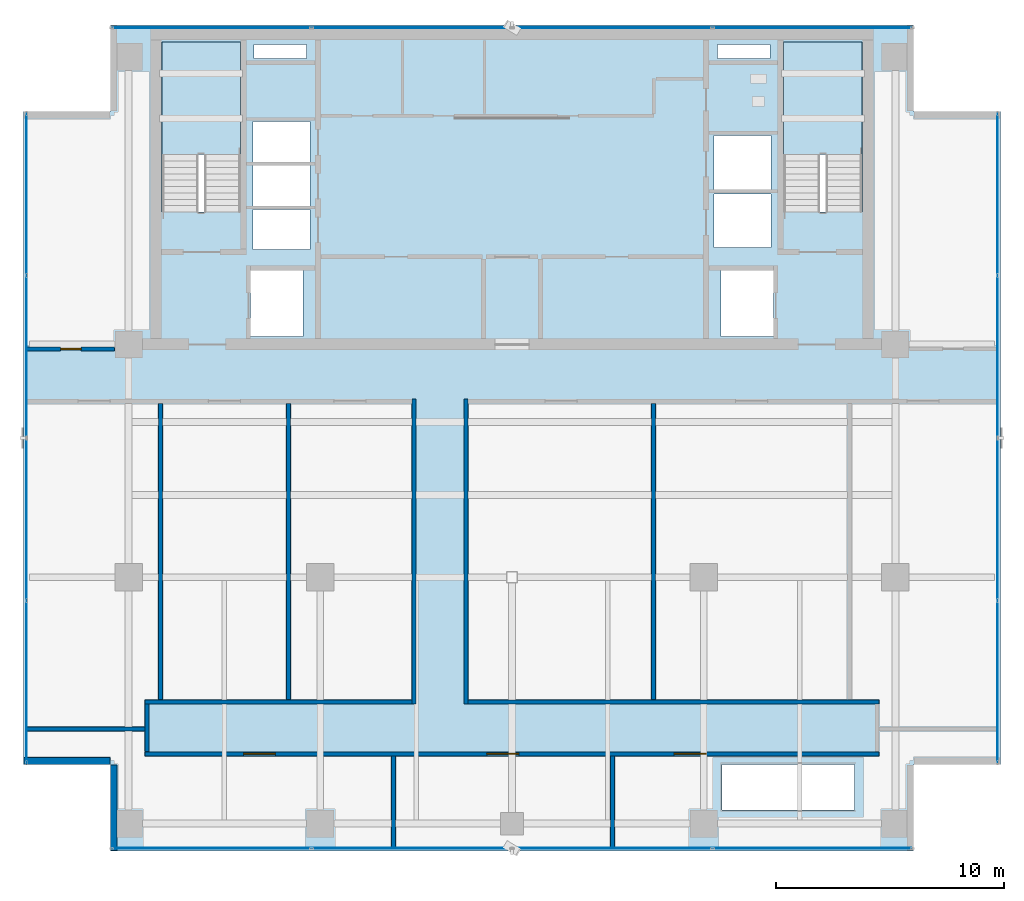
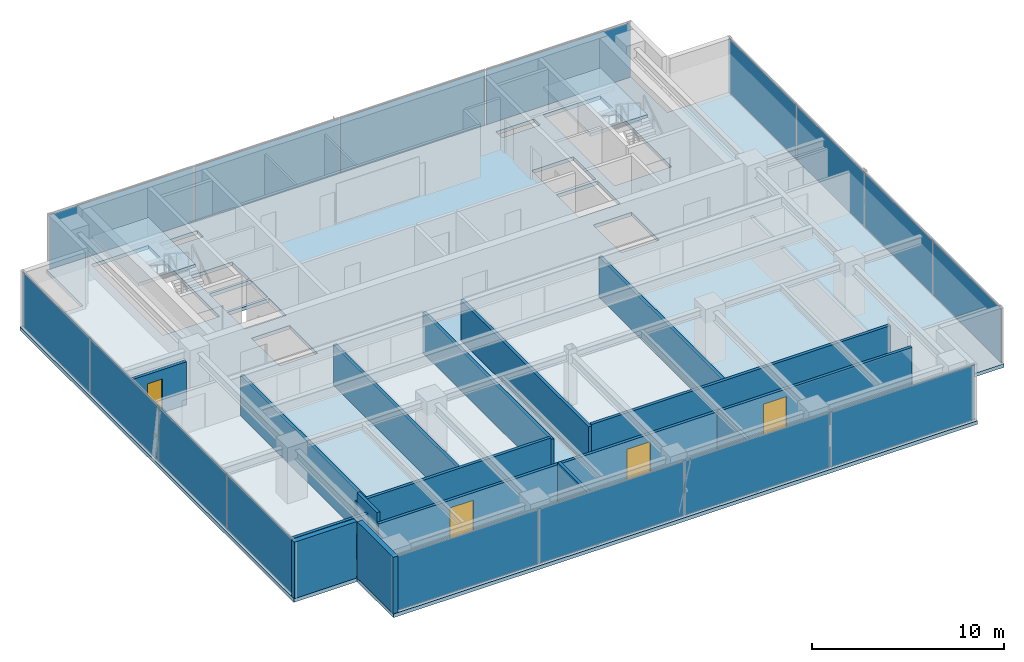
# One storey, part 14 of 21: 16 plates, 15 walls, 4 doors, 3 slabs, 4 openings, 6 elements without a shape of their own.
"""IFC4 building model written with IfcOpenShell, lengths in metres."""

from ifc_helpers import new_model, si_unit, direction, frame, frame_2d, origin, origin_2d, place, context, subcontext, project, spatial, polyline, rectangle, outline, extrude, source, transform, mapped, material, layer, layer_set, type_object, element, fill, aggregate, save


model = new_model("IFC4")

# Units and contexts
model_context = context("Model", 3, precision=1e-05, world=origin(), true_north=direction((0.0, 1.0)))
body_context = subcontext(model_context, "Body", "Model", "MODEL_VIEW")
ifc_project = project(units=[si_unit("LENGTHUNIT", "METRE"), si_unit("AREAUNIT", "SQUARE_METRE"), si_unit("VOLUMEUNIT", "CUBIC_METRE"), si_unit("PLANEANGLEUNIT", "RADIAN"), si_unit("MASSUNIT", "GRAM", prefix="KILO")], contexts=[model_context])

# Site, building, storey
site_placement = place(None, origin())
site = spatial("IfcSite", under=ifc_project, at=site_placement, CompositionType="ELEMENT")
building_placement = place(site_placement, origin())
building = spatial("IfcBuilding", under=site, at=building_placement, Name="Sumidabori Civic Tower", CompositionType="ELEMENT")
storey_placement = place(building_placement, frame((0.0, 0.0, 290.0)))
storey = spatial("IfcBuildingStorey", under=building, at=storey_placement, Name="L76", CompositionType="ELEMENT", Elevation=290.0)

# Stair, slab
ifc_material_1 = material(Name="Concrete C40/50", Category="concrete")
stair_type = type_object("IfcStairType", Name="ST-CORE-1600", PredefinedType="HALF_TURN_STAIR", material=ifc_material_1)
stair_1_placement = place(storey_placement, origin())
stair_1 = element("IfcStair", 1, at=stair_1_placement, inside=storey, type_object=stair_type, Name="L76 ST-1", PredefinedType="HALF_TURN_STAIR")
ifc_layer_1 = layer(ifc_material_1, 0.199951171875, Name="Concrete C40/50")
ifc_layer_set_1 = layer_set([ifc_layer_1], Name="Concrete C40/50")
slab_type_1 = type_object("IfcSlabType", Name="SL-LAND-200", PredefinedType="LANDING", material=ifc_layer_set_1)
slab_1_placement = place(storey_placement, frame((0.0, 0.0, 1.60009765625)))
slab_1 = element("IfcSlab", 2, at=slab_1_placement, type_object=slab_type_1, Name="ST-1 landing 1", PredefinedType="LANDING", context=body_context, shape_type="SweptSolid", body=[
    extrude(outline(polyline([(-11.89990234375, 18.52001953125), (-11.89990234375, 23.449951171875), (-15.340087890625, 23.449951171875), (-15.340087890625, 18.52001953125), (-11.89990234375, 18.52001953125)])), origin(), (0.0, 0.0, 1.0), 0.199951171875),
])
aggregate(stair_1, [slab_1])

stair_2_placement = place(storey_placement, origin())
stair_2 = element("IfcStair", 3, at=stair_2_placement, inside=storey, type_object=stair_type, Name="L76 ST-2", PredefinedType="HALF_TURN_STAIR")
slab_2_placement = place(storey_placement, frame((0.0, 0.0, 1.60009765625)))
slab_2 = element("IfcSlab", 4, at=slab_2_placement, type_object=slab_type_1, Name="ST-2 landing 1", PredefinedType="LANDING", context=body_context, shape_type="SweptSolid", body=[
    extrude(outline(polyline([(15.340087890625, 18.52001953125), (15.340087890625, 23.449951171875), (11.89990234375, 23.449951171875), (11.89990234375, 18.52001953125), (15.340087890625, 18.52001953125)])), origin(), (0.0, 0.0, 1.0), 0.199951171875),
])
aggregate(stair_2, [slab_2])

# Slab
ifc_layer_2 = layer(ifc_material_1, 0.22998046875, Name="Concrete C40/50")
ifc_layer_set_2 = layer_set([ifc_layer_2], Name="Concrete C40/50")
slab_type_2 = type_object("IfcSlabType", Name="SL-Z4-230", PredefinedType="FLOOR", material=ifc_layer_set_2)
slab_3_placement = place(storey_placement, frame((0.0, 0.0, -0.22998046875)))
element("IfcSlab", 5, at=slab_3_placement, inside=storey, type_object=slab_type_2, Name="Structural Slab L76", PredefinedType="FLOOR", context=body_context, shape_type="SweptSolid", body=[
    extrude(outline(polyline([(-17.60009765625, -12.0), (17.60009765625, -12.0), (17.60009765625, -8.199951171875), (21.39990234375, -8.199951171875), (21.39990234375, 20.39990234375), (17.60009765625, 20.39990234375), (17.60009765625, 24.199951171875), (-17.60009765625, 24.199951171875), (-17.60009765625, 20.39990234375), (-21.39990234375, 20.39990234375), (-21.39990234375, -8.199951171875), (-17.60009765625, -8.199951171875), (-17.60009765625, -12.0)]), holes=[polyline([(-11.89990234375, 16.0), (-11.89990234375, 23.449951171875), (-15.340087890625, 23.449951171875), (-15.340087890625, 16.0), (-11.89990234375, 16.0)]), polyline([(15.340087890625, 16.0), (15.340087890625, 23.449951171875), (11.89990234375, 23.449951171875), (11.89990234375, 16.0), (15.340087890625, 16.0)]), polyline([(-11.449951171875, 10.550048828125), (-9.14990234375, 10.550048828125), (-9.14990234375, 13.449951171875), (-11.449951171875, 13.449951171875), (-11.449951171875, 10.550048828125)]), polyline([(9.14990234375, 10.550048828125), (11.449951171875, 10.550048828125), (11.449951171875, 13.449951171875), (9.14990234375, 13.449951171875), (9.14990234375, 10.550048828125)]), polyline([(-11.35009765625, 14.35009765625), (-8.85009765625, 14.35009765625), (-8.85009765625, 16.1201171875), (-11.35009765625, 16.1201171875), (-11.35009765625, 14.35009765625)]), polyline([(-11.35009765625, 16.27001953125), (-8.85009765625, 16.27001953125), (-8.85009765625, 18.0400390625), (-11.35009765625, 18.0400390625), (-11.35009765625, 16.27001953125)]), polyline([(-11.35009765625, 18.18994140625), (-8.85009765625, 18.18994140625), (-8.85009765625, 19.9599609375), (-11.35009765625, 19.9599609375), (-11.35009765625, 18.18994140625)]), polyline([(8.85009765625, 14.449951171875), (11.35009765625, 14.449951171875), (11.35009765625, 16.800048828125), (8.85009765625, 16.800048828125), (8.85009765625, 14.449951171875)]), polyline([(8.85009765625, 17.0), (11.35009765625, 17.0), (11.35009765625, 19.35009765625), (8.85009765625, 19.35009765625), (8.85009765625, 17.0)]), polyline([(-11.300048828125, 22.719970703125), (-9.0, 22.719970703125), (-9.0, 23.35009765625), (-11.300048828125, 23.35009765625), (-11.300048828125, 22.719970703125)]), polyline([(9.0, 22.719970703125), (11.300048828125, 22.719970703125), (11.300048828125, 23.35009765625), (9.0, 23.35009765625), (9.0, 22.719970703125)]), polyline([(9.199951171875, -10.199951171875), (15.0, -10.199951171875), (15.0, -8.199951171875), (9.199951171875, -8.199951171875), (9.199951171875, -10.199951171875)])]), origin(), (0.0, 0.0, 1.0), 0.22998046875),
])

# Curtain wall, plates
ifc_material_2 = material(Name="Anodised Bronze Aluminium AW-6063-T6", Category="aluminium")
ifc_layer_3 = layer(ifc_material_2, 0.179931640625, Name="Anodised Bronze Aluminium AW-6063-T6")
ifc_layer_set_3 = layer_set([ifc_layer_3], Name="Anodised Bronze Aluminium AW-6063-T6")
curtain_wall_type = type_object("IfcCurtainWallType", Name="CW-SYS-6", PredefinedType="NOTDEFINED", material=ifc_layer_set_3)
curtain_wall_1_placement = place(storey_placement, origin())
curtain_wall_1 = element("IfcCurtainWall", 6, at=curtain_wall_1_placement, inside=storey, type_object=curtain_wall_type, Name="Curtain Wall CW:L76:R01", PredefinedType="NOTDEFINED")
ifc_material_3 = material(Name="Bronze-Tinted Laminated Crown Glazing", Category="glass")
ifc_layer_4 = layer(ifc_material_3, 0.033935546875, Name="Bronze-Tinted Laminated Crown Glazing")
ifc_layer_set_4 = layer_set([ifc_layer_4], Name="Bronze-Tinted Laminated Crown Glazing")
plate_type = type_object("IfcPlateType", Name="CW-PNL-CRN", PredefinedType="CURTAIN_PANEL", material=ifc_layer_set_4)
shared_shape_1 = source(origin(), body_context, "Body", "SweptSolid", [
    extrude(rectangle(XDim=8.679931640625, YDim=0.033935546875, at=origin_2d()), origin(), (0.0, 0.0, 1.0), 3.469970703125),
])
plate_1_placement = place(storey_placement, frame((-13.159912109375, -11.8798828125, 0.06494140625), z_axis=(0.0, 0.0, 1.0), x_axis=(1.0, 0.0, 0.0)))
plate_1 = element("IfcPlate", 7, at=plate_1_placement, type_object=plate_type, Name="CW-6 panel 1.1", PredefinedType="CURTAIN_PANEL", context=body_context, shape_type="MappedRepresentation", body=[
    mapped(shared_shape_1, transform((0.0, 0.0, 0.0), x_axis=(1.0, 0.0, 0.0), y_axis=(0.0, 1.0, 0.0), z_axis=(0.0, 0.0, 1.0), scale=1.0)),
])
plate_2_placement = place(storey_placement, frame((13.159912109375, -11.8798828125, 0.06494140625), z_axis=(0.0, 0.0, 1.0), x_axis=(1.0, 0.0, 0.0)))
plate_2 = element("IfcPlate", 8, at=plate_2_placement, type_object=plate_type, Name="CW-6 panel 4.1", PredefinedType="CURTAIN_PANEL", context=body_context, shape_type="MappedRepresentation", body=[
    mapped(shared_shape_1, transform((0.0, 0.0, 0.0), x_axis=(1.0, 0.0, 0.0), y_axis=(0.0, 1.0, 0.0), z_axis=(0.0, 0.0, 1.0), scale=1.0)),
])

curtain_wall_2_placement = place(storey_placement, origin())
curtain_wall_2 = element("IfcCurtainWall", 9, at=curtain_wall_2_placement, inside=storey, type_object=curtain_wall_type, Name="Curtain Wall CW:L76:R07", PredefinedType="NOTDEFINED")
plate_3_placement = place(storey_placement, frame((13.159912109375, 24.080078125, 0.06494140625), z_axis=(0.0, 0.0, 1.0), x_axis=(-1.0, 0.0, 0.0)))
plate_3 = element("IfcPlate", 10, at=plate_3_placement, type_object=plate_type, Name="CW-6 panel 1.1", PredefinedType="CURTAIN_PANEL", context=body_context, shape_type="MappedRepresentation", body=[
    mapped(shared_shape_1, transform((0.0, 0.0, 0.0), x_axis=(1.0, 0.0, 0.0), y_axis=(0.0, 1.0, 0.0), z_axis=(0.0, 0.0, 1.0), scale=1.0)),
])
plate_4_placement = place(storey_placement, frame((-13.159912109375, 24.080078125, 0.06494140625), z_axis=(0.0, 0.0, 1.0), x_axis=(-1.0, 0.0, 0.0)))
plate_4 = element("IfcPlate", 11, at=plate_4_placement, type_object=plate_type, Name="CW-6 panel 4.1", PredefinedType="CURTAIN_PANEL", context=body_context, shape_type="MappedRepresentation", body=[
    mapped(shared_shape_1, transform((0.0, 0.0, 0.0), x_axis=(1.0, 0.0, 0.0), y_axis=(0.0, 1.0, 0.0), z_axis=(0.0, 0.0, 1.0), scale=1.0)),
])

# Plate
shared_shape_2 = source(origin(), body_context, "Body", "SweptSolid", [
    extrude(rectangle(XDim=8.715087890625, YDim=0.033935546875, at=origin_2d()), origin(), (0.0, 0.0, 1.0), 3.469970703125),
])
plate_5_placement = place(storey_placement, frame((-4.392578125, -11.8798828125, 0.06494140625), z_axis=(0.0, 0.0, 1.0), x_axis=(1.0, 0.0, 0.0)))
plate_5 = element("IfcPlate", 12, at=plate_5_placement, type_object=plate_type, Name="CW-6 panel 2.1", PredefinedType="CURTAIN_PANEL", context=body_context, shape_type="MappedRepresentation", body=[
    mapped(shared_shape_2, transform((0.0, 0.0, 0.0), x_axis=(1.0, 0.0, 0.0), y_axis=(0.0, 1.0, 0.0), z_axis=(0.0, 0.0, 1.0), scale=1.0)),
])

plate_6_placement = place(storey_placement, frame((4.392578125, -11.8798828125, 0.06494140625), z_axis=(0.0, 0.0, 1.0), x_axis=(1.0, 0.0, 0.0)))
plate_6 = element("IfcPlate", 13, at=plate_6_placement, type_object=plate_type, Name="CW-6 panel 3.1", PredefinedType="CURTAIN_PANEL", context=body_context, shape_type="MappedRepresentation", body=[
    mapped(shared_shape_2, transform((0.0, 0.0, 0.0), x_axis=(1.0, 0.0, 0.0), y_axis=(0.0, 1.0, 0.0), z_axis=(0.0, 0.0, 1.0), scale=1.0)),
])

aggregate(curtain_wall_1, [plate_1, plate_5, plate_6, plate_2])

plate_7_placement = place(storey_placement, frame((4.392578125, 24.080078125, 0.06494140625), z_axis=(0.0, 0.0, 1.0), x_axis=(-1.0, 0.0, 0.0)))
plate_7 = element("IfcPlate", 14, at=plate_7_placement, type_object=plate_type, Name="CW-6 panel 2.1", PredefinedType="CURTAIN_PANEL", context=body_context, shape_type="MappedRepresentation", body=[
    mapped(shared_shape_2, transform((0.0, 0.0, 0.0), x_axis=(1.0, 0.0, 0.0), y_axis=(0.0, 1.0, 0.0), z_axis=(0.0, 0.0, 1.0), scale=1.0)),
])

plate_8_placement = place(storey_placement, frame((-4.392578125, 24.080078125, 0.06494140625), z_axis=(0.0, 0.0, 1.0), x_axis=(-1.0, 0.0, 0.0)))
plate_8 = element("IfcPlate", 15, at=plate_8_placement, type_object=plate_type, Name="CW-6 panel 3.1", PredefinedType="CURTAIN_PANEL", context=body_context, shape_type="MappedRepresentation", body=[
    mapped(shared_shape_2, transform((0.0, 0.0, 0.0), x_axis=(1.0, 0.0, 0.0), y_axis=(0.0, 1.0, 0.0), z_axis=(0.0, 0.0, 1.0), scale=1.0)),
])

aggregate(curtain_wall_2, [plate_3, plate_7, plate_8, plate_4])

# Curtain wall, plates
curtain_wall_3_placement = place(storey_placement, origin())
curtain_wall_3 = element("IfcCurtainWall", 16, at=curtain_wall_3_placement, inside=storey, type_object=curtain_wall_type, Name="Curtain Wall CW:L76:R04", PredefinedType="NOTDEFINED")
shared_shape_3 = source(origin(), body_context, "Body", "SweptSolid", [
    extrude(rectangle(XDim=7.030029296875, YDim=0.033935546875, at=origin_2d()), origin(), (0.0, 0.0, 1.0), 3.469970703125),
])
plate_9_placement = place(storey_placement, frame((21.280029296875, -4.5849609375, 0.06494140625), z_axis=(0.0, 0.0, 1.0), x_axis=(0.0, 1.0, 0.0)))
plate_9 = element("IfcPlate", 17, at=plate_9_placement, type_object=plate_type, Name="CW-6 panel 1.1", PredefinedType="CURTAIN_PANEL", context=body_context, shape_type="MappedRepresentation", body=[
    mapped(shared_shape_3, transform((0.0, 0.0, 0.0), x_axis=(1.0, 0.0, 0.0), y_axis=(0.0, 1.0, 0.0), z_axis=(0.0, 0.0, 1.0), scale=1.0)),
])
plate_10_placement = place(storey_placement, frame((21.280029296875, 16.784912109375, 0.06494140625), z_axis=(0.0, 0.0, 1.0), x_axis=(0.0, 1.0, 0.0)))
plate_10 = element("IfcPlate", 18, at=plate_10_placement, type_object=plate_type, Name="CW-6 panel 4.1", PredefinedType="CURTAIN_PANEL", context=body_context, shape_type="MappedRepresentation", body=[
    mapped(shared_shape_3, transform((0.0, 0.0, 0.0), x_axis=(1.0, 0.0, 0.0), y_axis=(0.0, 1.0, 0.0), z_axis=(0.0, 0.0, 1.0), scale=1.0)),
])

curtain_wall_4_placement = place(storey_placement, origin())
curtain_wall_4 = element("IfcCurtainWall", 19, at=curtain_wall_4_placement, inside=storey, type_object=curtain_wall_type, Name="Curtain Wall CW:L76:R10", PredefinedType="NOTDEFINED")
plate_11_placement = place(storey_placement, frame((-21.280029296875, 16.784912109375, 0.06494140625), z_axis=(0.0, 0.0, 1.0), x_axis=(0.0, -1.0, 0.0)))
plate_11 = element("IfcPlate", 20, at=plate_11_placement, type_object=plate_type, Name="CW-6 panel 1.1", PredefinedType="CURTAIN_PANEL", context=body_context, shape_type="MappedRepresentation", body=[
    mapped(shared_shape_3, transform((0.0, 0.0, 0.0), x_axis=(1.0, 0.0, 0.0), y_axis=(0.0, 1.0, 0.0), z_axis=(0.0, 0.0, 1.0), scale=1.0)),
])
plate_12_placement = place(storey_placement, frame((-21.280029296875, -4.5849609375, 0.06494140625), z_axis=(0.0, 0.0, 1.0), x_axis=(0.0, -1.0, 0.0)))
plate_12 = element("IfcPlate", 21, at=plate_12_placement, type_object=plate_type, Name="CW-6 panel 4.1", PredefinedType="CURTAIN_PANEL", context=body_context, shape_type="MappedRepresentation", body=[
    mapped(shared_shape_3, transform((0.0, 0.0, 0.0), x_axis=(1.0, 0.0, 0.0), y_axis=(0.0, 1.0, 0.0), z_axis=(0.0, 0.0, 1.0), scale=1.0)),
])

# Plate
shared_shape_4 = source(origin(), body_context, "Body", "SweptSolid", [
    extrude(rectangle(XDim=7.06494140625, YDim=0.033935546875, at=origin_2d()), origin(), (0.0, 0.0, 1.0), 3.469970703125),
])
plate_13_placement = place(storey_placement, frame((21.280029296875, 2.532470703125, 0.06494140625), z_axis=(0.0, 0.0, 1.0), x_axis=(0.0, 1.0, 0.0)))
plate_13 = element("IfcPlate", 22, at=plate_13_placement, type_object=plate_type, Name="CW-6 panel 2.1", PredefinedType="CURTAIN_PANEL", context=body_context, shape_type="MappedRepresentation", body=[
    mapped(shared_shape_4, transform((0.0, 0.0, 0.0), x_axis=(1.0, 0.0, 0.0), y_axis=(0.0, 1.0, 0.0), z_axis=(0.0, 0.0, 1.0), scale=1.0)),
])

plate_14_placement = place(storey_placement, frame((21.280029296875, 9.66748046875, 0.06494140625), z_axis=(0.0, 0.0, 1.0), x_axis=(0.0, 1.0, 0.0)))
plate_14 = element("IfcPlate", 23, at=plate_14_placement, type_object=plate_type, Name="CW-6 panel 3.1", PredefinedType="CURTAIN_PANEL", context=body_context, shape_type="MappedRepresentation", body=[
    mapped(shared_shape_4, transform((0.0, 0.0, 0.0), x_axis=(1.0, 0.0, 0.0), y_axis=(0.0, 1.0, 0.0), z_axis=(0.0, 0.0, 1.0), scale=1.0)),
])

aggregate(curtain_wall_3, [plate_9, plate_13, plate_14, plate_10])

plate_15_placement = place(storey_placement, frame((-21.280029296875, 9.66748046875, 0.06494140625), z_axis=(0.0, 0.0, 1.0), x_axis=(0.0, -1.0, 0.0)))
plate_15 = element("IfcPlate", 24, at=plate_15_placement, type_object=plate_type, Name="CW-6 panel 2.1", PredefinedType="CURTAIN_PANEL", context=body_context, shape_type="MappedRepresentation", body=[
    mapped(shared_shape_4, transform((0.0, 0.0, 0.0), x_axis=(1.0, 0.0, 0.0), y_axis=(0.0, 1.0, 0.0), z_axis=(0.0, 0.0, 1.0), scale=1.0)),
])

plate_16_placement = place(storey_placement, frame((-21.280029296875, 2.532470703125, 0.06494140625), z_axis=(0.0, 0.0, 1.0), x_axis=(0.0, -1.0, 0.0)))
plate_16 = element("IfcPlate", 25, at=plate_16_placement, type_object=plate_type, Name="CW-6 panel 3.1", PredefinedType="CURTAIN_PANEL", context=body_context, shape_type="MappedRepresentation", body=[
    mapped(shared_shape_4, transform((0.0, 0.0, 0.0), x_axis=(1.0, 0.0, 0.0), y_axis=(0.0, 1.0, 0.0), z_axis=(0.0, 0.0, 1.0), scale=1.0)),
])

aggregate(curtain_wall_4, [plate_11, plate_15, plate_16, plate_12])

# Walls
ifc_material_4 = material(Name="Precast concrete C40/50", Category="concrete")
ifc_layer_5 = layer(ifc_material_4, 0.300048828125, Name="Precast concrete C40/50")
ifc_layer_set_5 = layer_set([ifc_layer_5], Name="Precast concrete C40/50")
wall_type_1 = type_object("IfcWallType", Name="WL-EXT-POD300", PredefinedType="STANDARD", material=ifc_layer_set_5)
shared_shape_5 = source(origin(), body_context, "Body", "SweptSolid", [
    extrude(rectangle(XDim=3.760009765625, YDim=0.300048828125, at=frame_2d((1.8798828125, 0.0))), origin(), (0.0, 0.0, 1.0), 3.60009765625),
])
wall_1_placement = place(storey_placement, frame((-17.449951171875, -8.219970703125, 0.0), z_axis=(0.0, 0.0, 1.0), x_axis=(0.0, -1.0, 0.0)))
element("IfcWall", 26, at=wall_1_placement, inside=storey, type_object=wall_type_1, Name="Notched Corner Spandrel Band L76-12", PredefinedType="STANDARD", context=body_context, shape_type="MappedRepresentation", body=[
    mapped(shared_shape_5, transform((0.0, 0.0, 0.0), x_axis=(1.0, 0.0, 0.0), y_axis=(0.0, 1.0, 0.0), z_axis=(0.0, 0.0, 1.0), scale=1.0)),
])
shared_shape_6 = source(origin(), body_context, "Body", "SweptSolid", [
    extrude(rectangle(XDim=3.759765625, YDim=0.300048828125, at=frame_2d((1.8798828125, 0.0))), origin(), (0.0, 0.0, 1.0), 3.60009765625),
])
wall_2_placement = place(storey_placement, frame((-21.3798828125, -8.050048828125, 0.0), z_axis=(0.0, 0.0, 1.0), x_axis=(1.0, 0.0, 0.0)))
element("IfcWall", 27, at=wall_2_placement, inside=storey, type_object=wall_type_1, Name="Notched Corner Spandrel Band L76-11", PredefinedType="STANDARD", context=body_context, shape_type="MappedRepresentation", body=[
    mapped(shared_shape_6, transform((0.0, 0.0, 0.0), x_axis=(1.0, 0.0, 0.0), y_axis=(0.0, 1.0, 0.0), z_axis=(0.0, 0.0, 1.0), scale=1.0)),
])
ifc_material_5 = material(Name="Gypsum Plasterboard Acoustic Partition")
ifc_layer_6 = layer(ifc_material_5, 0.179931640625, Name="Gypsum Plasterboard Acoustic Partition")
ifc_layer_set_6 = layer_set([ifc_layer_6], Name="Gypsum Plasterboard Acoustic Partition")
wall_type_2 = type_object("IfcWallType", Name="WL-PART-180", PredefinedType="PARTITIONING", material=ifc_layer_set_6)
shared_shape_7 = source(origin(), body_context, "Body", "SweptSolid", [
    extrude(rectangle(XDim=2.090087890625, YDim=0.179931640625, at=frame_2d((1.044921875, 0.0))), origin(), (0.0, 0.0, 1.0), 3.300048828125),
])
wall_3_placement = place(storey_placement, frame((-15.989990234375, -7.64501953125, 0.0), z_axis=(0.0, 0.0, 1.0), x_axis=(0.0, 1.0, 0.0)))
element("IfcWall", 28, at=wall_3_placement, inside=storey, type_object=wall_type_2, Name="Interior Partition WL:L76:CORR-VSW", PredefinedType="PARTITIONING", context=body_context, shape_type="MappedRepresentation", body=[
    mapped(shared_shape_7, transform((0.0, 0.0, 0.0), x_axis=(1.0, 0.0, 0.0), y_axis=(0.0, 1.0, 0.0), z_axis=(0.0, 0.0, 1.0), scale=1.0)),
])

# Wall, opening, door
shared_shape_8 = source(origin(), body_context, "Body", "SweptSolid", [
    extrude(rectangle(XDim=3.840087890625, YDim=0.179931640625, at=frame_2d((1.919921875, 0.0))), origin(), (0.0, 0.0, 1.0), 2.735107421875),
])
wall_4_placement = place(storey_placement, frame((-21.25, 10.0, 0.0), z_axis=(0.0, 0.0, 1.0), x_axis=(1.0, 0.0, 0.0)))
wall_4 = element("IfcWall", 29, at=wall_4_placement, inside=storey, type_object=wall_type_2, Name="Interior Partition WL:L76:FLK-NW", PredefinedType="PARTITIONING", context=body_context, shape_type="MappedRepresentation", body=[
    mapped(shared_shape_8, transform((0.0, 0.0, 0.0), x_axis=(1.0, 0.0, 0.0), y_axis=(0.0, 1.0, 0.0), z_axis=(0.0, 0.0, 1.0), scale=1.0)),
])
opening_1_placement = place(wall_4_placement, frame((1.469970703125, 0.0, 0.0)))
opening_1 = element("IfcOpeningElement", 30, at=opening_1_placement, cuts=wall_4, Name="Opening DR-1", PredefinedType="OPENING", context=body_context, shape_type="SweptSolid", body=[
    extrude(rectangle(XDim=0.89990234375, YDim=2.14990234375, at=frame_2d((0.449951171875, 1.074951171875))), frame((0.0, 0.10205078125, 0.0), z_axis=(0.0, -1.0, 0.0), x_axis=(1.0, 0.0, 0.0)), (0.0, 0.0, 1.0), 0.203857421875),
])
ifc_material_6 = material(Name="Japanese Hinoki Timber", Category="wood")
door_type_1 = type_object("IfcDoorType", Name="DR-INT-900", OperationType="NOTDEFINED", PredefinedType="DOOR", material=ifc_material_6)
shared_shape_9 = source(origin(), body_context, "Body", "SweptSolid", [
    extrude(rectangle(XDim=0.89990234375, YDim=2.14990234375, at=frame_2d((0.449951171875, 1.074951171875))), frame((0.0, 0.02490234375, 0.0), z_axis=(0.0, -1.0, 0.0), x_axis=(1.0, 0.0, 0.0)), (0.0, 0.0, 1.0), 0.050048828125),
])
door_1_placement = place(opening_1_placement, origin())
door_1 = element("IfcDoor", 31, at=door_1_placement, inside=storey, type_object=door_type_1, Name="Door DR:L76:FLK-NW", OperationType="SINGLE_SWING_LEFT", OverallHeight=2.14990234375, OverallWidth=0.89990234375, PredefinedType="DOOR", context=body_context, shape_type="MappedRepresentation", body=[
    mapped(shared_shape_9, transform((0.0, 0.0, 0.0), x_axis=(1.0, 0.0, 0.0), y_axis=(0.0, 1.0, 0.0), z_axis=(0.0, 0.0, 1.0), scale=1.0)),
])
fill(opening_1, door_1)

# Walls
shared_shape_10 = source(origin(), body_context, "Body", "SweptSolid", [
    extrude(rectangle(XDim=11.7001953125, YDim=0.179931640625, at=frame_2d((5.85009765625, 0.0))), origin(), (0.0, 0.0, 1.0), 2.68505859375),
])
wall_5_placement = place(storey_placement, frame((-16.080078125, -5.4599609375, 0.0), z_axis=(0.0, 0.0, 1.0), x_axis=(1.0, 0.0, 0.0)))
element("IfcWall", 32, at=wall_5_placement, inside=storey, type_object=wall_type_2, Name="Interior Partition WL:L76:CORR-MNW", PredefinedType="PARTITIONING", context=body_context, shape_type="MappedRepresentation", body=[
    mapped(shared_shape_10, transform((0.0, 0.0, 0.0), x_axis=(1.0, 0.0, 0.0), y_axis=(0.0, 1.0, 0.0), z_axis=(0.0, 0.0, 1.0), scale=1.0)),
])
shared_shape_11 = source(origin(), body_context, "Body", "SweptSolid", [
    extrude(rectangle(XDim=18.0, YDim=0.179931640625, at=frame_2d((9.0, 0.0))), origin(), (0.0, 0.0, 1.0), 2.68505859375),
])
wall_6_placement = place(storey_placement, frame((-1.919921875, -5.4599609375, 0.0), z_axis=(0.0, 0.0, 1.0), x_axis=(1.0, 0.0, 0.0)))
element("IfcWall", 33, at=wall_6_placement, inside=storey, type_object=wall_type_2, Name="Interior Partition WL:L76:CORR-MNE", PredefinedType="PARTITIONING", context=body_context, shape_type="MappedRepresentation", body=[
    mapped(shared_shape_11, transform((0.0, 0.0, 0.0), x_axis=(1.0, 0.0, 0.0), y_axis=(0.0, 1.0, 0.0), z_axis=(0.0, 0.0, 1.0), scale=1.0)),
])

# Wall, openings, doors
shared_shape_12 = source(origin(), body_context, "Body", "SweptSolid", [
    extrude(rectangle(XDim=32.16015625, YDim=0.179931640625, at=frame_2d((16.080078125, 0.0))), origin(), (0.0, 0.0, 1.0), 2.68505859375),
])
wall_7_placement = place(storey_placement, frame((-16.080078125, -7.739990234375, 0.0), z_axis=(0.0, 0.0, 1.0), x_axis=(1.0, 0.0, 0.0)))
wall_7 = element("IfcWall", 34, at=wall_7_placement, inside=storey, type_object=wall_type_2, Name="Interior Partition WL:L76:CORR-SS", PredefinedType="PARTITIONING", context=body_context, shape_type="MappedRepresentation", body=[
    mapped(shared_shape_12, transform((0.0, 0.0, 0.0), x_axis=(1.0, 0.0, 0.0), y_axis=(0.0, 1.0, 0.0), z_axis=(0.0, 0.0, 1.0), scale=1.0)),
])
opening_2_placement = place(wall_7_placement, frame((4.31494140625, 0.0, 0.0)))
opening_2 = element("IfcOpeningElement", 35, at=opening_2_placement, cuts=wall_7, Name="Opening DR-5", PredefinedType="OPENING", context=body_context, shape_type="SweptSolid", body=[
    extrude(rectangle(XDim=1.39990234375, YDim=2.199951171875, at=frame_2d((0.699951171875, 1.10009765625))), frame((0.0, 0.10205078125, 0.0), z_axis=(0.0, -1.0, 0.0), x_axis=(1.0, 0.0, 0.0)), (0.0, 0.0, 1.0), 0.203857421875),
])
opening_3_placement = place(wall_7_placement, frame((23.18505859375, 0.0, 0.0)))
opening_3 = element("IfcOpeningElement", 36, at=opening_3_placement, cuts=wall_7, Name="Opening DR-5", PredefinedType="OPENING", context=body_context, shape_type="SweptSolid", body=[
    extrude(rectangle(XDim=1.39990234375, YDim=2.199951171875, at=frame_2d((0.699951171875, 1.10009765625))), frame((0.0, 0.10205078125, 0.0), z_axis=(0.0, -1.0, 0.0), x_axis=(1.0, 0.0, 0.0)), (0.0, 0.0, 1.0), 0.203857421875),
])
opening_4_placement = place(wall_7_placement, frame((14.97998046875, 0.0, 0.0)))
opening_4 = element("IfcOpeningElement", 37, at=opening_4_placement, cuts=wall_7, Name="Opening DR-5", PredefinedType="OPENING", context=body_context, shape_type="SweptSolid", body=[
    extrude(rectangle(XDim=1.39990234375, YDim=2.199951171875, at=frame_2d((0.699951171875, 1.10009765625))), frame((0.0, 0.10205078125, 0.0), z_axis=(0.0, -1.0, 0.0), x_axis=(1.0, 0.0, 0.0)), (0.0, 0.0, 1.0), 0.203857421875),
])
door_type_2 = type_object("IfcDoorType", Name="DR-DBL-1400", OperationType="DOUBLE_DOOR_SINGLE_SWING", PredefinedType="DOOR", material=ifc_material_2)
shared_shape_13 = source(origin(), body_context, "Body", "SweptSolid", [
    extrude(rectangle(XDim=1.39990234375, YDim=2.199951171875, at=frame_2d((0.699951171875, 1.10009765625))), frame((0.0, 0.02490234375, 0.0), z_axis=(0.0, -1.0, 0.0), x_axis=(1.0, 0.0, 0.0)), (0.0, 0.0, 1.0), 0.050048828125),
])
door_2_placement = place(opening_2_placement, origin())
door_2 = element("IfcDoor", 38, at=door_2_placement, inside=storey, type_object=door_type_2, Name="Door DR:L76:D09", OperationType="DOUBLE_DOOR_SINGLE_SWING", OverallHeight=2.199951171875, OverallWidth=1.39990234375, PredefinedType="DOOR", context=body_context, shape_type="MappedRepresentation", body=[
    mapped(shared_shape_13, transform((0.0, 0.0, 0.0), x_axis=(1.0, 0.0, 0.0), y_axis=(0.0, 1.0, 0.0), z_axis=(0.0, 0.0, 1.0), scale=1.0)),
])
fill(opening_2, door_2)
door_3_placement = place(opening_3_placement, origin())
door_3 = element("IfcDoor", 39, at=door_3_placement, inside=storey, type_object=door_type_2, Name="Door DR:L76:D10", OperationType="DOUBLE_DOOR_SINGLE_SWING", OverallHeight=2.199951171875, OverallWidth=1.39990234375, PredefinedType="DOOR", context=body_context, shape_type="MappedRepresentation", body=[
    mapped(shared_shape_13, transform((0.0, 0.0, 0.0), x_axis=(1.0, 0.0, 0.0), y_axis=(0.0, 1.0, 0.0), z_axis=(0.0, 0.0, 1.0), scale=1.0)),
])
fill(opening_3, door_3)
door_4_placement = place(opening_4_placement, origin())
door_4 = element("IfcDoor", 40, at=door_4_placement, inside=storey, type_object=door_type_2, Name="Door DR:L76:D11", OperationType="DOUBLE_DOOR_SINGLE_SWING", OverallHeight=2.199951171875, OverallWidth=1.39990234375, PredefinedType="DOOR", context=body_context, shape_type="MappedRepresentation", body=[
    mapped(shared_shape_13, transform((0.0, 0.0, 0.0), x_axis=(1.0, 0.0, 0.0), y_axis=(0.0, 1.0, 0.0), z_axis=(0.0, 0.0, 1.0), scale=1.0)),
])
fill(opening_4, door_4)

# Walls
shared_shape_14 = source(origin(), body_context, "Body", "SweptSolid", [
    extrude(rectangle(XDim=13.35009765625, YDim=0.179931640625, at=frame_2d((6.675048828125, 0.0))), origin(), (0.0, 0.0, 1.0), 2.5849609375),
])
for number, where, z_axis, x_axis, name in (
    (41, (-4.2900390625, -5.550048828125, 0.0), (0.0, 0.0, 1.0), (0.0, 1.0, 0.0), "Interior Partition WL:L76:CORR-VC-W"),
    (42, (-2.010009765625, -5.550048828125, 0.0), (0.0, 0.0, 1.0), (0.0, 1.0, 0.0), "Interior Partition WL:L76:CORR-VC-E"),
):
    element("IfcWall", number, at=place(storey_placement, frame(where, z_axis=z_axis, x_axis=x_axis)), inside=storey, type_object=wall_type_2, Name=name, PredefinedType="PARTITIONING", context=body_context, shape_type="MappedRepresentation", body=[
        mapped(shared_shape_14, transform((0.0, 0.0, 0.0), x_axis=(1.0, 0.0, 0.0), y_axis=(0.0, 1.0, 0.0), z_axis=(0.0, 0.0, 1.0), scale=1.0)),
    ])
shared_shape_15 = source(origin(), body_context, "Body", "SweptSolid", [
    extrude(rectangle(XDim=5.1650390625, YDim=0.179931640625, at=frame_2d((2.58251953125, 0.0))), origin(), (0.0, 0.0, 1.0), 2.68505859375),
])
wall_8_placement = place(storey_placement, frame((-21.25, -6.64990234375, 0.0), z_axis=(0.0, 0.0, 1.0), x_axis=(1.0, 0.0, 0.0)))
element("IfcWall", 43, at=wall_8_placement, inside=storey, type_object=wall_type_2, Name="Interior Partition WL:L76:BAND-Y-1", PredefinedType="PARTITIONING", context=body_context, shape_type="MappedRepresentation", body=[
    mapped(shared_shape_15, transform((0.0, 0.0, 0.0), x_axis=(1.0, 0.0, 0.0), y_axis=(0.0, 1.0, 0.0), z_axis=(0.0, 0.0, 1.0), scale=1.0)),
])
shared_shape_16 = source(origin(), body_context, "Body", "SweptSolid", [
    extrude(rectangle(XDim=12.97998046875, YDim=0.179931640625, at=frame_2d((6.489990234375, 0.0))), origin(), (0.0, 0.0, 1.0), 2.5849609375),
])
for number, where, z_axis, x_axis, name in (
    (44, (-15.39990234375, -5.364990234375, 0.0), (0.0, 0.0, 1.0), (0.0, 1.0, 0.0), "Interior Partition WL:L76:VX-N1"),
    (45, (-9.800048828125, -5.364990234375, 0.0), (0.0, 0.0, 1.0), (0.0, 1.0, 0.0), "Interior Partition WL:L76:VX-N2"),
    (46, (6.199951171875, -5.364990234375, 0.0), (0.0, 0.0, 1.0), (0.0, 1.0, 0.0), "Interior Partition WL:L76:VX-N3"),
):
    element("IfcWall", number, at=place(storey_placement, frame(where, z_axis=z_axis, x_axis=x_axis)), inside=storey, type_object=wall_type_2, Name=name, PredefinedType="PARTITIONING", context=body_context, shape_type="MappedRepresentation", body=[
        mapped(shared_shape_16, transform((0.0, 0.0, 0.0), x_axis=(1.0, 0.0, 0.0), y_axis=(0.0, 1.0, 0.0), z_axis=(0.0, 0.0, 1.0), scale=1.0)),
    ])
shared_shape_17 = source(origin(), body_context, "Body", "SweptSolid", [
    extrude(rectangle(XDim=4.01513671875, YDim=0.179931640625, at=frame_2d((2.007568359375, 0.0))), origin(), (0.0, 0.0, 1.0), 2.8349609375),
])
wall_9_placement = place(storey_placement, frame((-5.199951171875, -11.85009765625, 0.0), z_axis=(0.0, 0.0, 1.0), x_axis=(0.0, 1.0, 0.0)))
element("IfcWall", 47, at=wall_9_placement, inside=storey, type_object=wall_type_2, Name="Interior Partition WL:L76:VX-S1", PredefinedType="PARTITIONING", context=body_context, shape_type="MappedRepresentation", body=[
    mapped(shared_shape_17, transform((0.0, 0.0, 0.0), x_axis=(1.0, 0.0, 0.0), y_axis=(0.0, 1.0, 0.0), z_axis=(0.0, 0.0, 1.0), scale=1.0)),
])
shared_shape_18 = source(origin(), body_context, "Body", "SweptSolid", [
    extrude(rectangle(XDim=4.01513671875, YDim=0.179931640625, at=frame_2d((2.007568359375, 0.0))), origin(), (0.0, 0.0, 1.0), 2.784912109375),
])
wall_10_placement = place(storey_placement, frame((4.39990234375, -11.85009765625, 0.0), z_axis=(0.0, 0.0, 1.0), x_axis=(0.0, 1.0, 0.0)))
element("IfcWall", 48, at=wall_10_placement, inside=storey, type_object=wall_type_2, Name="Interior Partition WL:L76:VX-S2", PredefinedType="PARTITIONING", context=body_context, shape_type="MappedRepresentation", body=[
    mapped(shared_shape_18, transform((0.0, 0.0, 0.0), x_axis=(1.0, 0.0, 0.0), y_axis=(0.0, 1.0, 0.0), z_axis=(0.0, 0.0, 1.0), scale=1.0)),
])

save(model, "model.ifc")
